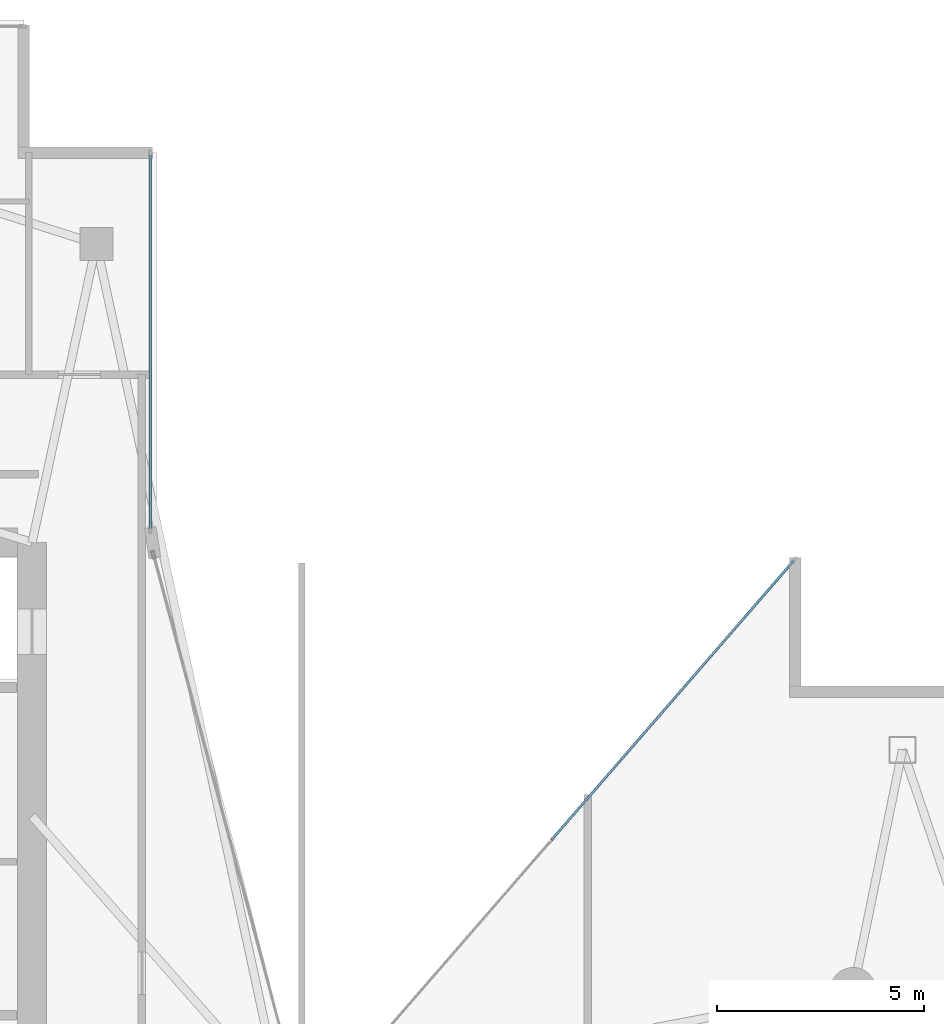
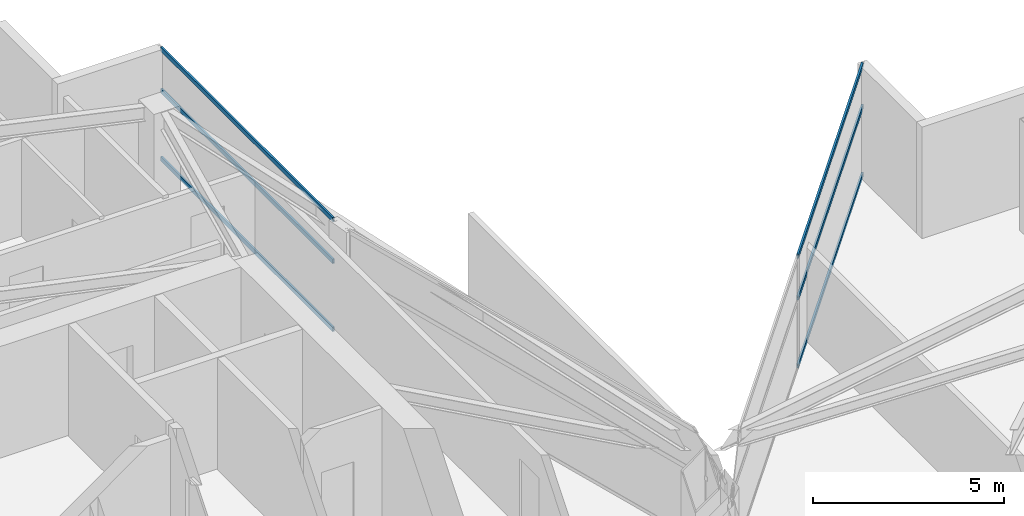
# One storey, part 19 of 28: 6 members, 2 elements without a shape of their own.
"""IFC4 building model written with IfcOpenShell, lengths in metres."""

from ifc_helpers import new_model, si_unit, direction, frame, origin, origin_2d, place, context, subcontext, project, spatial, hollow_rectangle, extrude, material, layer, layer_set, material_profile, profile_set, type_object, element, aggregate, save


model = new_model("IFC4")

# Units and contexts
model_context = context("Model", 3, precision=1e-05, world=origin(), true_north=direction((0.0, 1.0)))
body_context = subcontext(model_context, "Body", "Model", "MODEL_VIEW")
ifc_project = project(units=[si_unit("LENGTHUNIT", "METRE"), si_unit("AREAUNIT", "SQUARE_METRE"), si_unit("VOLUMEUNIT", "CUBIC_METRE"), si_unit("PLANEANGLEUNIT", "RADIAN"), si_unit("MASSUNIT", "GRAM", prefix="KILO")], contexts=[model_context])

# Site, building, storey
site_placement = place(None, origin())
site = spatial("IfcSite", under=ifc_project, at=site_placement, CompositionType="ELEMENT")
building_placement = place(site_placement, origin())
building = spatial("IfcBuilding", under=site, at=building_placement, Name="Calvorn Quay Hotel", CompositionType="ELEMENT")
storey_placement = place(building_placement, frame((0.0, 0.0, 243.800048828125)))
storey = spatial("IfcBuildingStorey", under=building, at=storey_placement, Name="L60", CompositionType="ELEMENT", Elevation=243.800048828125)

# Curtain wall, members
ifc_material_1 = material(Name="Champagne Bronze Anodised Aluminium and Low-E Glass", Category="aluminium")
ifc_layer = layer(ifc_material_1, 0.219970703125)
ifc_layer_set = layer_set([ifc_layer], Name="CW-SYS-Z3")
curtain_wall_type = type_object("IfcCurtainWallType", Name="CW-SYS-Z3", PredefinedType="NOTDEFINED", material=ifc_layer_set)
curtain_wall_1_placement = place(storey_placement, origin())
curtain_wall_1 = element("IfcCurtainWall", 1, at=curtain_wall_1_placement, inside=storey, type_object=curtain_wall_type, Name="Inner Court Curtain Wall L60-NE1", PredefinedType="NOTDEFINED")
ifc_material_2 = material(Name="Champagne Bronze Anodised Aluminium 6063-T6", Category="aluminium")
ifc_material_profile = material_profile(ifc_material_2, hollow_rectangle(XDim=0.05810546875, YDim=0.139892578125, WallThickness=0.003173828125, at=origin_2d()), Name="ALU-T140x58x3.2")
ifc_profile_set = profile_set([ifc_material_profile], Name="Champagne Bronze Anodised Aluminium 6063-T6")
member_type = type_object("IfcMemberType", Name="CW-SYS-Z3-TRN", PredefinedType="USERDEFINED", material=ifc_profile_set)
member_1_placement = place(storey_placement, frame((33.360595703125, 37.95458984375, 0.030029296875), z_axis=(-0.65534550322, -0.755329247024, 0.0), x_axis=(0.755329247024, -0.65534550322, 0.0)))
member_1 = element("IfcMember", 2, at=member_1_placement, type_object=member_type, Name="CW-L60-NE1 transom 1.1", ObjectType="TRANSOM", PredefinedType="USERDEFINED", context=body_context, shape_type="SweptSolid", body=[
    extrude(hollow_rectangle(XDim=0.05810546875, YDim=0.139892578125, WallThickness=0.003173828125, at=origin_2d()), origin(), (0.0, 0.0, 1.0), 8.91259765625),
])
member_2_placement = place(storey_placement, frame((33.360595703125, 37.95458984375, 2.199951171875), z_axis=(-0.65534550322, -0.755329247024, 0.0), x_axis=(0.755329247024, -0.65534550322, 0.0)))
member_2 = element("IfcMember", 3, at=member_2_placement, type_object=member_type, Name="CW-L60-NE1 transom 1.2", ObjectType="TRANSOM", PredefinedType="USERDEFINED", context=body_context, shape_type="SweptSolid", body=[
    extrude(hollow_rectangle(XDim=0.05810546875, YDim=0.139892578125, WallThickness=0.003173828125, at=origin_2d()), origin(), (0.0, 0.0, 1.0), 8.91259765625),
])
member_3_placement = place(storey_placement, frame((33.360595703125, 37.95458984375, 3.530029296875), z_axis=(-0.65534550322, -0.755329247024, 0.0), x_axis=(0.755329247024, -0.65534550322, 0.0)))
member_3 = element("IfcMember", 4, at=member_3_placement, type_object=member_type, Name="CW-L60-NE1 transom 1.3", ObjectType="TRANSOM", PredefinedType="USERDEFINED", context=body_context, shape_type="SweptSolid", body=[
    extrude(hollow_rectangle(XDim=0.05810546875, YDim=0.139892578125, WallThickness=0.003173828125, at=origin_2d()), origin(), (0.0, 0.0, 1.0), 8.91259765625),
])
aggregate(curtain_wall_1, [member_1, member_2, member_3])

curtain_wall_2_placement = place(storey_placement, origin())
curtain_wall_2 = element("IfcCurtainWall", 5, at=curtain_wall_2_placement, inside=storey, type_object=curtain_wall_type, Name="Inner Court Curtain Wall L60-IC2", PredefinedType="NOTDEFINED")
member_4_placement = place(storey_placement, frame((17.85009765625, 38.739990234375, 0.030029296875), z_axis=(0.0, 1.0, 0.0), x_axis=(-1.0, 0.0, 0.0)))
member_4 = element("IfcMember", 6, at=member_4_placement, type_object=member_type, Name="CW-L60-IC2 transom 1.1", ObjectType="TRANSOM", PredefinedType="USERDEFINED", context=body_context, shape_type="SweptSolid", body=[
    extrude(hollow_rectangle(XDim=0.05810546875, YDim=0.139892578125, WallThickness=0.003173828125, at=origin_2d()), origin(), (0.0, 0.0, 1.0), 9.0),
])
member_5_placement = place(storey_placement, frame((17.85009765625, 38.739990234375, 2.199951171875), z_axis=(0.0, 1.0, 0.0), x_axis=(-1.0, 0.0, 0.0)))
member_5 = element("IfcMember", 7, at=member_5_placement, type_object=member_type, Name="CW-L60-IC2 transom 1.2", ObjectType="TRANSOM", PredefinedType="USERDEFINED", context=body_context, shape_type="SweptSolid", body=[
    extrude(hollow_rectangle(XDim=0.05810546875, YDim=0.139892578125, WallThickness=0.003173828125, at=origin_2d()), origin(), (0.0, 0.0, 1.0), 9.0),
])
member_6_placement = place(storey_placement, frame((17.85009765625, 38.739990234375, 3.530029296875), z_axis=(0.0, 1.0, 0.0), x_axis=(-1.0, 0.0, 0.0)))
member_6 = element("IfcMember", 8, at=member_6_placement, type_object=member_type, Name="CW-L60-IC2 transom 1.3", ObjectType="TRANSOM", PredefinedType="USERDEFINED", context=body_context, shape_type="SweptSolid", body=[
    extrude(hollow_rectangle(XDim=0.05810546875, YDim=0.139892578125, WallThickness=0.003173828125, at=origin_2d()), origin(), (0.0, 0.0, 1.0), 9.0),
])
aggregate(curtain_wall_2, [member_4, member_5, member_6])

save(model, "model.ifc")
